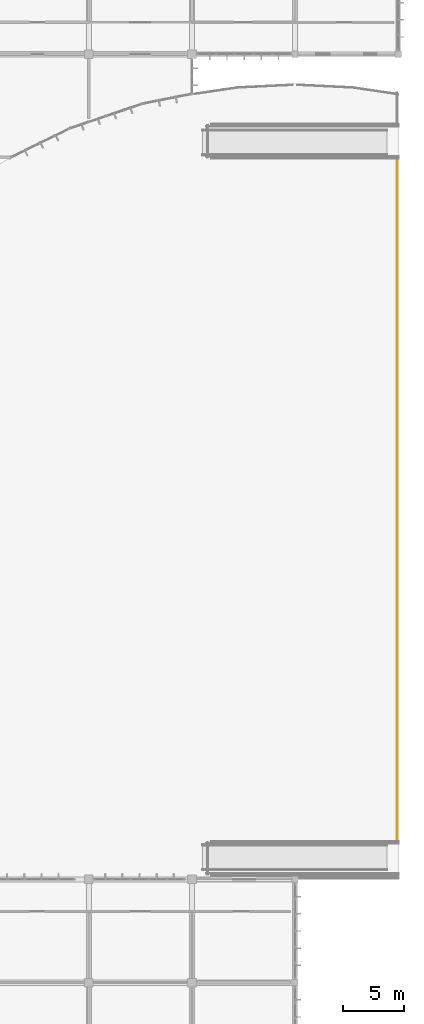
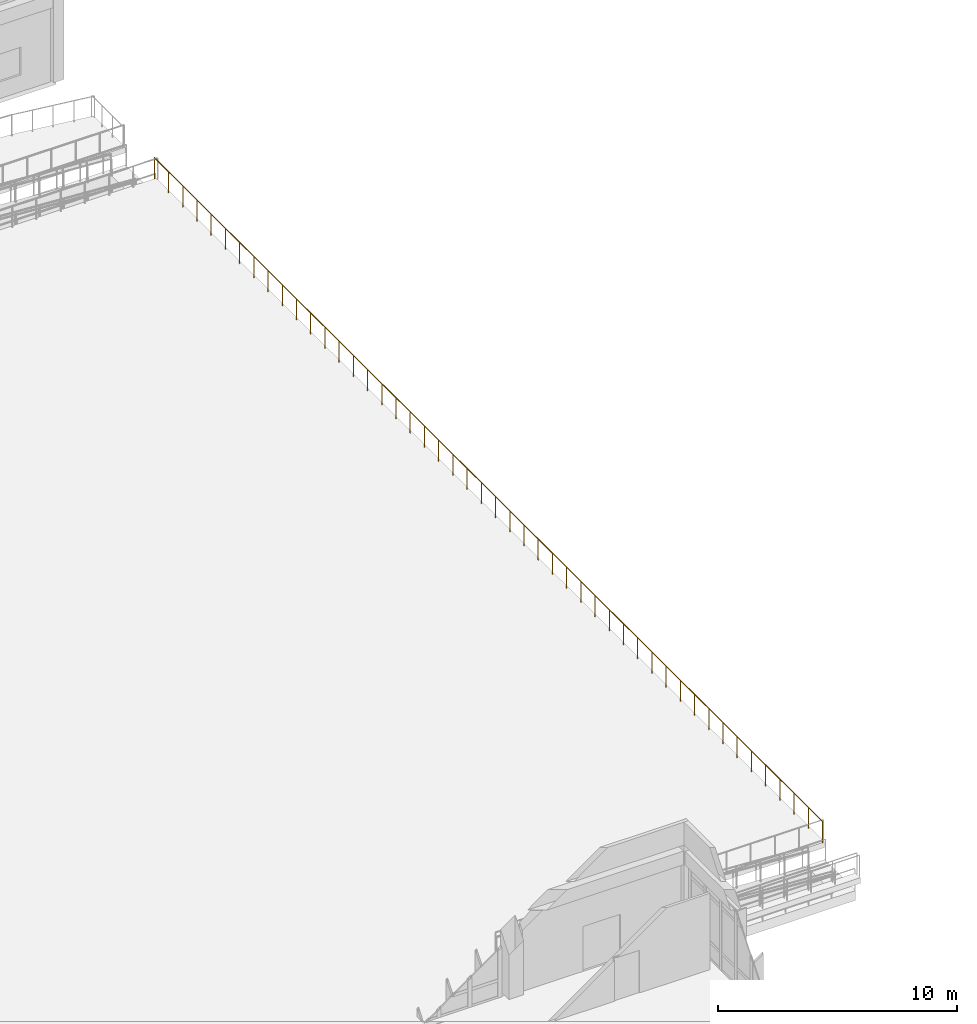
# One storey, part 134 of 138: 1 railing.
"""IFC4 building model written with IfcOpenShell, lengths in metres."""

from ifc_helpers import new_model, si_unit, direction, frame, origin, origin_2d, place, context, subcontext, project, spatial, circle, extrude, material, type_object, element, save


model = new_model("IFC4")

# Units and contexts
model_context = context("Model", 3, precision=1e-05, world=origin(), true_north=direction((0.0, 1.0)))
body_context = subcontext(model_context, "Body", "Model", "MODEL_VIEW")
ifc_project = project(units=[si_unit("LENGTHUNIT", "METRE"), si_unit("AREAUNIT", "SQUARE_METRE"), si_unit("VOLUMEUNIT", "CUBIC_METRE"), si_unit("PLANEANGLEUNIT", "RADIAN"), si_unit("MASSUNIT", "GRAM", prefix="KILO")], contexts=[model_context])

# Site, building, storey
site_placement = place(None, origin())
site = spatial("IfcSite", under=ifc_project, at=site_placement, CompositionType="ELEMENT")
building_placement = place(site_placement, origin())
building = spatial("IfcBuilding", under=site, at=building_placement, Name="Bramfleet General Hospital", CompositionType="ELEMENT")
storey_placement = place(building_placement, origin())
storey = spatial("IfcBuildingStorey", under=building, at=storey_placement, Name="L00", CompositionType="ELEMENT", Elevation=0.0)

# Railing
ifc_material = material(Name="Stainless steel 1.4401 safety balustrade", Category="steel")
railing_type = type_object("IfcRailingType", Name="RAIL-EXT-GUARD", PredefinedType="GUARDRAIL", material=ifc_material)
railing_placement = place(storey_placement, frame((184.699951171875, 84.0, 0.0)))
element("IfcRailing", 1, at=railing_placement, inside=storey, type_object=railing_type, Name="L00 Flood-Plinth Guard 239", PredefinedType="GUARDRAIL", context=body_context, shape_type="SweptSolid", body=[
    extrude(circle(Radius=0.02392578125, at=origin_2d()), frame((0.0, 0.0, 1.076171875), z_axis=(0.0, -1.0, 0.0), x_axis=(1.0, 0.0, 0.0)), (0.0, 0.0, 1.0), 55.800048828125),
    extrude(circle(Radius=0.02099609375, at=origin_2d()), origin(), (0.0, 0.0, 1.0), 1.052001953125),
    extrude(circle(Radius=0.02099609375, at=origin_2d()), frame((0.0, -1.187255859375, 0.0)), (0.0, 0.0, 1.0), 1.052001953125),
    extrude(circle(Radius=0.02099609375, at=origin_2d()), frame((0.0, -2.37451171875, 0.0)), (0.0, 0.0, 1.0), 1.052001953125),
    extrude(circle(Radius=0.02099609375, at=origin_2d()), frame((0.0, -3.561767578125, 0.0)), (0.0, 0.0, 1.0), 1.052001953125),
    extrude(circle(Radius=0.02099609375, at=origin_2d()), frame((0.0, -4.7490234375, 0.0)), (0.0, 0.0, 1.0), 1.052001953125),
    extrude(circle(Radius=0.02099609375, at=origin_2d()), frame((0.0, -5.936279296875, 0.0)), (0.0, 0.0, 1.0), 1.052001953125),
    extrude(circle(Radius=0.02099609375, at=origin_2d()), frame((0.0, -7.123291015625, 0.0)), (0.0, 0.0, 1.0), 1.052001953125),
    extrude(circle(Radius=0.02099609375, at=origin_2d()), frame((0.0, -8.310546875, 0.0)), (0.0, 0.0, 1.0), 1.052001953125),
    extrude(circle(Radius=0.02099609375, at=origin_2d()), frame((0.0, -9.497802734375, 0.0)), (0.0, 0.0, 1.0), 1.052001953125),
    extrude(circle(Radius=0.02099609375, at=origin_2d()), frame((0.0, -10.68505859375, 0.0)), (0.0, 0.0, 1.0), 1.052001953125),
    extrude(circle(Radius=0.02099609375, at=origin_2d()), frame((0.0, -11.872314453125, 0.0)), (0.0, 0.0, 1.0), 1.052001953125),
    extrude(circle(Radius=0.02099609375, at=origin_2d()), frame((0.0, -13.0595703125, 0.0)), (0.0, 0.0, 1.0), 1.052001953125),
    extrude(circle(Radius=0.02099609375, at=origin_2d()), frame((0.0, -14.246826171875, 0.0)), (0.0, 0.0, 1.0), 1.052001953125),
    extrude(circle(Radius=0.02099609375, at=origin_2d()), frame((0.0, -15.43408203125, 0.0)), (0.0, 0.0, 1.0), 1.052001953125),
    extrude(circle(Radius=0.02099609375, at=origin_2d()), frame((0.0, -16.621337890625, 0.0)), (0.0, 0.0, 1.0), 1.052001953125),
    extrude(circle(Radius=0.02099609375, at=origin_2d()), frame((0.0, -17.80859375, 0.0)), (0.0, 0.0, 1.0), 1.052001953125),
    extrude(circle(Radius=0.02099609375, at=origin_2d()), frame((0.0, -18.995849609375, 0.0)), (0.0, 0.0, 1.0), 1.052001953125),
    extrude(circle(Radius=0.02099609375, at=origin_2d()), frame((0.0, -20.18310546875, 0.0)), (0.0, 0.0, 1.0), 1.052001953125),
    extrude(circle(Radius=0.02099609375, at=origin_2d()), frame((0.0, -21.3701171875, 0.0)), (0.0, 0.0, 1.0), 1.052001953125),
    extrude(circle(Radius=0.02099609375, at=origin_2d()), frame((0.0, -22.557373046875, 0.0)), (0.0, 0.0, 1.0), 1.052001953125),
    extrude(circle(Radius=0.02099609375, at=origin_2d()), frame((0.0, -23.74462890625, 0.0)), (0.0, 0.0, 1.0), 1.052001953125),
    extrude(circle(Radius=0.02099609375, at=origin_2d()), frame((0.0, -24.931884765625, 0.0)), (0.0, 0.0, 1.0), 1.052001953125),
    extrude(circle(Radius=0.02099609375, at=origin_2d()), frame((0.0, -26.119140625, 0.0)), (0.0, 0.0, 1.0), 1.052001953125),
    extrude(circle(Radius=0.02099609375, at=origin_2d()), frame((0.0, -27.306396484375, 0.0)), (0.0, 0.0, 1.0), 1.052001953125),
    extrude(circle(Radius=0.02099609375, at=origin_2d()), frame((0.0, -28.49365234375, 0.0)), (0.0, 0.0, 1.0), 1.052001953125),
    extrude(circle(Radius=0.02099609375, at=origin_2d()), frame((0.0, -29.680908203125, 0.0)), (0.0, 0.0, 1.0), 1.052001953125),
    extrude(circle(Radius=0.02099609375, at=origin_2d()), frame((0.0, -30.8681640625, 0.0)), (0.0, 0.0, 1.0), 1.052001953125),
    extrude(circle(Radius=0.02099609375, at=origin_2d()), frame((0.0, -32.055419921875, 0.0)), (0.0, 0.0, 1.0), 1.052001953125),
    extrude(circle(Radius=0.02099609375, at=origin_2d()), frame((0.0, -33.24267578125, 0.0)), (0.0, 0.0, 1.0), 1.052001953125),
    extrude(circle(Radius=0.02099609375, at=origin_2d()), frame((0.0, -34.429931640625, 0.0)), (0.0, 0.0, 1.0), 1.052001953125),
    extrude(circle(Radius=0.02099609375, at=origin_2d()), frame((0.0, -35.616943359375, 0.0)), (0.0, 0.0, 1.0), 1.052001953125),
    extrude(circle(Radius=0.02099609375, at=origin_2d()), frame((0.0, -36.80419921875, 0.0)), (0.0, 0.0, 1.0), 1.052001953125),
    extrude(circle(Radius=0.02099609375, at=origin_2d()), frame((0.0, -37.991455078125, 0.0)), (0.0, 0.0, 1.0), 1.052001953125),
    extrude(circle(Radius=0.02099609375, at=origin_2d()), frame((0.0, -39.1787109375, 0.0)), (0.0, 0.0, 1.0), 1.052001953125),
    extrude(circle(Radius=0.02099609375, at=origin_2d()), frame((0.0, -40.365966796875, 0.0)), (0.0, 0.0, 1.0), 1.052001953125),
    extrude(circle(Radius=0.02099609375, at=origin_2d()), frame((0.0, -41.55322265625, 0.0)), (0.0, 0.0, 1.0), 1.052001953125),
    extrude(circle(Radius=0.02099609375, at=origin_2d()), frame((0.0, -42.740478515625, 0.0)), (0.0, 0.0, 1.0), 1.052001953125),
    extrude(circle(Radius=0.02099609375, at=origin_2d()), frame((0.0, -43.927734375, 0.0)), (0.0, 0.0, 1.0), 1.052001953125),
    extrude(circle(Radius=0.02099609375, at=origin_2d()), frame((0.0, -45.114990234375, 0.0)), (0.0, 0.0, 1.0), 1.052001953125),
    extrude(circle(Radius=0.02099609375, at=origin_2d()), frame((0.0, -46.30224609375, 0.0)), (0.0, 0.0, 1.0), 1.052001953125),
    extrude(circle(Radius=0.02099609375, at=origin_2d()), frame((0.0, -47.489501953125, 0.0)), (0.0, 0.0, 1.0), 1.052001953125),
    extrude(circle(Radius=0.02099609375, at=origin_2d()), frame((0.0, -48.6767578125, 0.0)), (0.0, 0.0, 1.0), 1.052001953125),
    extrude(circle(Radius=0.02099609375, at=origin_2d()), frame((0.0, -49.86376953125, 0.0)), (0.0, 0.0, 1.0), 1.052001953125),
    extrude(circle(Radius=0.02099609375, at=origin_2d()), frame((0.0, -51.051025390625, 0.0)), (0.0, 0.0, 1.0), 1.052001953125),
    extrude(circle(Radius=0.02099609375, at=origin_2d()), frame((0.0, -52.23828125, 0.0)), (0.0, 0.0, 1.0), 1.052001953125),
    extrude(circle(Radius=0.02099609375, at=origin_2d()), frame((0.0, -53.425537109375, 0.0)), (0.0, 0.0, 1.0), 1.052001953125),
    extrude(circle(Radius=0.02099609375, at=origin_2d()), frame((0.0, -54.61279296875, 0.0)), (0.0, 0.0, 1.0), 1.052001953125),
    extrude(circle(Radius=0.02099609375, at=origin_2d()), frame((0.0, -55.800048828125, 0.0)), (0.0, 0.0, 1.0), 1.052001953125),
])

save(model, "model.ifc")
